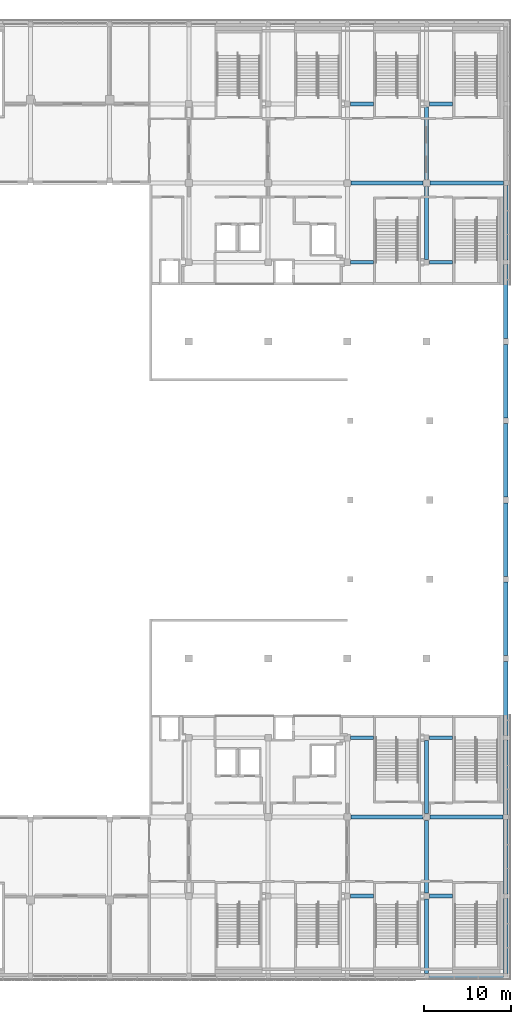
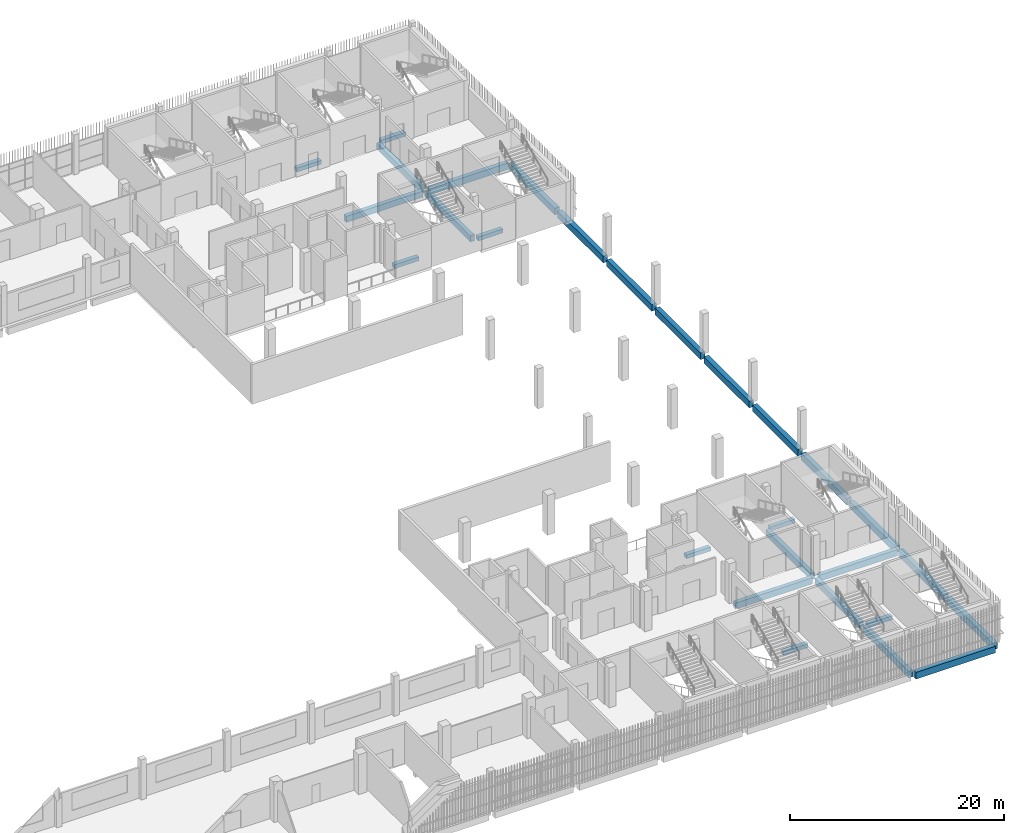
# One storey, part 41 of 104: 28 beams.
"""IFC4 building model written with IfcOpenShell, lengths in metres."""

from ifc_helpers import new_model, si_unit, direction, frame, origin, origin_2d, place, context, subcontext, project, spatial, rectangle, extrude, material, material_profile, profile_set, type_object, element, save


model = new_model("IFC4")

# Units and contexts
model_context = context("Model", 3, precision=1e-05, world=origin(), true_north=direction((0.0, 1.0)))
body_context = subcontext(model_context, "Body", "Model", "MODEL_VIEW")
ifc_project = project(units=[si_unit("LENGTHUNIT", "METRE"), si_unit("AREAUNIT", "SQUARE_METRE"), si_unit("VOLUMEUNIT", "CUBIC_METRE"), si_unit("PLANEANGLEUNIT", "RADIAN"), si_unit("MASSUNIT", "GRAM", prefix="KILO")], contexts=[model_context])

# Site, building, storey
site_placement = place(None, origin())
site = spatial("IfcSite", under=ifc_project, at=site_placement, CompositionType="ELEMENT")
building_placement = place(site_placement, origin())
building = spatial("IfcBuilding", under=site, at=building_placement, Name="Shirokan Park Arena", CompositionType="ELEMENT")
storey_placement = place(building_placement, frame((0.0, 0.0, 10.919921875)))
storey = spatial("IfcBuildingStorey", under=building, at=storey_placement, Name="L02", CompositionType="ELEMENT", Elevation=10.919921875)

# Beams
ifc_material = material(Name="Concrete C35", Category="concrete")
ifc_material_profile_1 = material_profile(ifc_material, rectangle(XDim=0.449951171875, YDim=0.699951171875, at=origin_2d()), Name="450x700")
ifc_profile_set_1 = profile_set([ifc_material_profile_1], Name="Concrete C35")
beam_type_1 = type_object("IfcBeamType", Name="RC girder 450x700", PredefinedType="BEAM", material=ifc_profile_set_1)
for number, where, z_axis, x_axis, name in (
    (1, (127.8251953125, 18.199951171875, -0.64990234375), (1.0, 0.0, 0.0), (0.0, 1.0, 0.0), "Girder 15C-16C L02"),
    (2, (127.8251953125, 91.0, -0.64990234375), (1.0, 0.0, 0.0), (0.0, 1.0, 0.0), "Girder 15L-16L L02"),
):
    element("IfcBeam", number, at=place(storey_placement, frame(where, z_axis=z_axis, x_axis=x_axis)), inside=storey, type_object=beam_type_1, Name=name, PredefinedType="BEAM", context=body_context, shape_type="SweptSolid", body=[
        extrude(rectangle(XDim=0.449951171875, YDim=0.699951171875, at=origin_2d()), origin(), (0.0, 0.0, 1.0), 8.274658203125),
    ])
beam_1_placement = place(storey_placement, frame((136.900146484375, 18.199951171875, -0.64990234375), z_axis=(1.0, 0.0, 0.0), x_axis=(0.0, 1.0, 0.0)))
element("IfcBeam", 3, at=beam_1_placement, inside=storey, type_object=beam_type_1, Name="Girder 16C-17C L02", PredefinedType="BEAM", context=body_context, shape_type="SweptSolid", body=[
    extrude(rectangle(XDim=0.449951171875, YDim=0.699951171875, at=origin_2d()), origin(), (0.0, 0.0, 1.0), 8.399658203125),
])
beam_2_placement = place(storey_placement, frame((136.5, 9.4501953125, -0.64990234375), z_axis=(0.0, 1.0, 0.0), x_axis=(-1.0, 0.0, 0.0)))
element("IfcBeam", 4, at=beam_2_placement, inside=storey, type_object=beam_type_1, Name="Girder 16B-16C L02", PredefinedType="BEAM", context=body_context, shape_type="SweptSolid", body=[
    extrude(rectangle(XDim=0.449951171875, YDim=0.699951171875, at=origin_2d()), origin(), (0.0, 0.0, 1.0), 8.349609375),
])
for number, where, z_axis, x_axis, name in (
    (5, (136.5, 18.60009765625, -0.64990234375), (0.0, 1.0, 0.0), (-1.0, 0.0, 0.0), "Girder 16C-16D L02"),
    (6, (136.5, 82.22509765625, -0.64990234375), (0.0, 1.0, 0.0), (-1.0, 0.0, 0.0), "Girder 16K-16L L02"),
):
    element("IfcBeam", number, at=place(storey_placement, frame(where, z_axis=z_axis, x_axis=x_axis)), inside=storey, type_object=beam_type_1, Name=name, PredefinedType="BEAM", context=body_context, shape_type="SweptSolid", body=[
        extrude(rectangle(XDim=0.449951171875, YDim=0.699951171875, at=origin_2d()), origin(), (0.0, 0.0, 1.0), 8.374755859375),
    ])
beam_3_placement = place(storey_placement, frame((136.5, 91.400146484375, -0.64990234375), z_axis=(0.0, 1.0, 0.0), x_axis=(-1.0, 0.0, 0.0)))
element("IfcBeam", 7, at=beam_3_placement, inside=storey, type_object=beam_type_1, Name="Girder 16L-16M L02", PredefinedType="BEAM", context=body_context, shape_type="SweptSolid", body=[
    extrude(rectangle(XDim=0.449951171875, YDim=0.699951171875, at=origin_2d()), origin(), (0.0, 0.0, 1.0), 8.349853515625),
])
ifc_material_profile_2 = material_profile(ifc_material, rectangle(XDim=0.449951171875, YDim=0.75, at=origin_2d()), Name="450x750")
ifc_profile_set_2 = profile_set([ifc_material_profile_2], Name="Concrete C35")
beam_type_2 = type_object("IfcBeamType", Name="RC girder 450x750", PredefinedType="BEAM", material=ifc_profile_set_2)
beam_4_placement = place(storey_placement, frame((136.900146484375, 91.0, -0.6748046875), z_axis=(1.0, 0.0, 0.0), x_axis=(0.0, 1.0, 0.0)))
element("IfcBeam", 8, at=beam_4_placement, inside=storey, type_object=beam_type_2, Name="Girder 16L-17L L02", PredefinedType="BEAM", context=body_context, shape_type="SweptSolid", body=[
    extrude(rectangle(XDim=0.449951171875, YDim=0.75, at=origin_2d()), origin(), (0.0, 0.0, 1.0), 8.4248046875),
])
beam_5_placement = place(storey_placement, frame((136.5, 0.25, -0.6748046875), z_axis=(0.0, 1.0, 0.0), x_axis=(-1.0, 0.0, 0.0)))
element("IfcBeam", 9, at=beam_5_placement, inside=storey, type_object=beam_type_2, Name="Girder 16A-16B L02", PredefinedType="BEAM", context=body_context, shape_type="SweptSolid", body=[
    extrude(rectangle(XDim=0.449951171875, YDim=0.75, at=origin_2d()), origin(), (0.0, 0.0, 1.0), 8.5),
])
ifc_material_profile_3 = material_profile(ifc_material, rectangle(XDim=0.5, YDim=0.75, at=origin_2d()), Name="500x750")
ifc_profile_set_3 = profile_set([ifc_material_profile_3], Name="Concrete C35")
beam_type_3 = type_object("IfcBeamType", Name="RC girder 500x750", PredefinedType="BEAM", material=ifc_profile_set_3)
beam_6_placement = place(storey_placement, frame((136.775146484375, 0.0, -0.6748046875), z_axis=(1.0, 0.0, 0.0), x_axis=(0.0, 1.0, 0.0)))
element("IfcBeam", 10, at=beam_6_placement, inside=storey, type_object=beam_type_3, Name="Girder 16A-17A L02", PredefinedType="BEAM", context=body_context, shape_type="SweptSolid", body=[
    extrude(rectangle(XDim=0.5, YDim=0.75, at=origin_2d()), origin(), (0.0, 0.0, 1.0), 8.57470703125),
])
beam_7_placement = place(storey_placement, frame((145.60009765625, 0.25, -0.6748046875), z_axis=(0.0, 1.0, 0.0), x_axis=(-1.0, 0.0, 0.0)))
element("IfcBeam", 11, at=beam_7_placement, inside=storey, type_object=beam_type_3, Name="Girder 17A-17B L02", PredefinedType="BEAM", context=body_context, shape_type="SweptSolid", body=[
    extrude(rectangle(XDim=0.5, YDim=0.75, at=origin_2d()), origin(), (0.0, 0.0, 1.0), 8.574951171875),
])
beam_8_placement = place(storey_placement, frame((145.60009765625, 9.375, -0.6748046875), z_axis=(0.0, 1.0, 0.0), x_axis=(-1.0, 0.0, 0.0)))
element("IfcBeam", 12, at=beam_8_placement, inside=storey, type_object=beam_type_3, Name="Girder 17B-17C L02", PredefinedType="BEAM", context=body_context, shape_type="SweptSolid", body=[
    extrude(rectangle(XDim=0.5, YDim=0.75, at=origin_2d()), origin(), (0.0, 0.0, 1.0), 8.52490234375),
])
beam_9_placement = place(storey_placement, frame((145.60009765625, 18.5, -0.6748046875), z_axis=(0.0, 1.0, 0.0), x_axis=(-1.0, 0.0, 0.0)))
element("IfcBeam", 13, at=beam_9_placement, inside=storey, type_object=beam_type_3, Name="Girder 17C-17D L02", PredefinedType="BEAM", context=body_context, shape_type="SweptSolid", body=[
    extrude(rectangle(XDim=0.5, YDim=0.75, at=origin_2d()), origin(), (0.0, 0.0, 1.0), 8.5498046875),
])
beam_10_placement = place(storey_placement, frame((145.60009765625, 27.550048828125, -0.6748046875), z_axis=(0.0, 1.0, 0.0), x_axis=(-1.0, 0.0, 0.0)))
element("IfcBeam", 14, at=beam_10_placement, inside=storey, type_object=beam_type_3, Name="Girder 17D-17E L02", PredefinedType="BEAM", context=body_context, shape_type="SweptSolid", body=[
    extrude(rectangle(XDim=0.5, YDim=0.75, at=origin_2d()), origin(), (0.0, 0.0, 1.0), 8.52490234375),
])
for number, where, z_axis, x_axis, name in (
    (15, (145.60009765625, 36.72509765625, -0.6748046875), (0.0, 1.0, 0.0), (-1.0, 0.0, 0.0), "Girder 17E-17F L02"),
    (16, (145.60009765625, 45.8251953125, -0.6748046875), (0.0, 1.0, 0.0), (-1.0, 0.0, 0.0), "Girder 17F-17G L02"),
):
    element("IfcBeam", number, at=place(storey_placement, frame(where, z_axis=z_axis, x_axis=x_axis)), inside=storey, type_object=beam_type_3, Name=name, PredefinedType="BEAM", context=body_context, shape_type="SweptSolid", body=[
        extrude(rectangle(XDim=0.5, YDim=0.75, at=origin_2d()), origin(), (0.0, 0.0, 1.0), 8.44970703125),
    ])
beam_11_placement = place(storey_placement, frame((145.60009765625, 54.925048828125, -0.6748046875), z_axis=(0.0, 1.0, 0.0), x_axis=(-1.0, 0.0, 0.0)))
element("IfcBeam", 17, at=beam_11_placement, inside=storey, type_object=beam_type_3, Name="Girder 17G-17H L02", PredefinedType="BEAM", context=body_context, shape_type="SweptSolid", body=[
    extrude(rectangle(XDim=0.5, YDim=0.75, at=origin_2d()), origin(), (0.0, 0.0, 1.0), 8.449951171875),
])
beam_12_placement = place(storey_placement, frame((145.60009765625, 64.025146484375, -0.6748046875), z_axis=(0.0, 1.0, 0.0), x_axis=(-1.0, 0.0, 0.0)))
element("IfcBeam", 18, at=beam_12_placement, inside=storey, type_object=beam_type_3, Name="Girder 17H-17J L02", PredefinedType="BEAM", context=body_context, shape_type="SweptSolid", body=[
    extrude(rectangle(XDim=0.5, YDim=0.75, at=origin_2d()), origin(), (0.0, 0.0, 1.0), 8.44970703125),
])
beam_13_placement = place(storey_placement, frame((145.60009765625, 73.125, -0.6748046875), z_axis=(0.0, 1.0, 0.0), x_axis=(-1.0, 0.0, 0.0)))
element("IfcBeam", 19, at=beam_13_placement, inside=storey, type_object=beam_type_3, Name="Girder 17J-17K L02", PredefinedType="BEAM", context=body_context, shape_type="SweptSolid", body=[
    extrude(rectangle(XDim=0.5, YDim=0.75, at=origin_2d()), origin(), (0.0, 0.0, 1.0), 8.52490234375),
])
beam_14_placement = place(storey_placement, frame((145.60009765625, 82.150146484375, -0.6748046875), z_axis=(0.0, 1.0, 0.0), x_axis=(-1.0, 0.0, 0.0)))
element("IfcBeam", 20, at=beam_14_placement, inside=storey, type_object=beam_type_3, Name="Girder 17K-17L L02", PredefinedType="BEAM", context=body_context, shape_type="SweptSolid", body=[
    extrude(rectangle(XDim=0.5, YDim=0.75, at=origin_2d()), origin(), (0.0, 0.0, 1.0), 8.5498046875),
])
ifc_material_profile_4 = material_profile(ifc_material, rectangle(XDim=0.449951171875, YDim=0.449951171875, at=origin_2d()), Name="450x450")
ifc_profile_set_4 = profile_set([ifc_material_profile_4], Name="Concrete C35")
beam_type_4 = type_object("IfcBeamType", Name="RC trimmer 450x450", PredefinedType="BEAM", material=ifc_profile_set_4)
beam_15_placement = place(storey_placement, frame((127.75, 9.10009765625, -0.52490234375), z_axis=(1.0, 0.0, 0.0), x_axis=(0.0, 1.0, 0.0)))
element("IfcBeam", 21, at=beam_15_placement, inside=storey, type_object=beam_type_4, Name="Girder 15B-16B L02", PredefinedType="BEAM", context=body_context, shape_type="SweptSolid", body=[
    extrude(rectangle(XDim=0.449951171875, YDim=0.449951171875, at=origin_2d()), origin(), (0.0, 0.0, 1.0), 2.64990234375),
])
for number, where, z_axis, x_axis, name in (
    (22, (127.775146484375, 27.300048828125, -0.52490234375), (1.0, 0.0, 0.0), (0.0, 1.0, 0.0), "Girder 15D-16D L02"),
    (23, (127.775146484375, 81.89990234375, -0.52490234375), (1.0, 0.0, 0.0), (0.0, 1.0, 0.0), "Girder 15K-16K L02"),
):
    element("IfcBeam", number, at=place(storey_placement, frame(where, z_axis=z_axis, x_axis=x_axis)), inside=storey, type_object=beam_type_4, Name=name, PredefinedType="BEAM", context=body_context, shape_type="SweptSolid", body=[
        extrude(rectangle(XDim=0.449951171875, YDim=0.449951171875, at=origin_2d()), origin(), (0.0, 0.0, 1.0), 2.624755859375),
    ])
for number, where, z_axis, x_axis, name in (
    (24, (127.75, 100.10009765625, -0.52490234375), (1.0, 0.0, 0.0), (0.0, 1.0, 0.0), "Girder 15M-16M L02"),
    (25, (136.85009765625, 9.10009765625, -0.52490234375), (1.0, 0.0, 0.0), (0.0, 1.0, 0.0), "Girder 16B-17B L02"),
):
    element("IfcBeam", number, at=place(storey_placement, frame(where, z_axis=z_axis, x_axis=x_axis)), inside=storey, type_object=beam_type_4, Name=name, PredefinedType="BEAM", context=body_context, shape_type="SweptSolid", body=[
        extrude(rectangle(XDim=0.449951171875, YDim=0.449951171875, at=origin_2d()), origin(), (0.0, 0.0, 1.0), 2.64990234375),
    ])
for number, where, z_axis, x_axis, name in (
    (26, (136.8251953125, 27.300048828125, -0.52490234375), (1.0, 0.0, 0.0), (0.0, 1.0, 0.0), "Girder 16D-17D L02"),
    (27, (136.8251953125, 81.89990234375, -0.52490234375), (1.0, 0.0, 0.0), (0.0, 1.0, 0.0), "Girder 16K-17K L02"),
):
    element("IfcBeam", number, at=place(storey_placement, frame(where, z_axis=z_axis, x_axis=x_axis)), inside=storey, type_object=beam_type_4, Name=name, PredefinedType="BEAM", context=body_context, shape_type="SweptSolid", body=[
        extrude(rectangle(XDim=0.449951171875, YDim=0.449951171875, at=origin_2d()), origin(), (0.0, 0.0, 1.0), 2.6748046875),
    ])
beam_16_placement = place(storey_placement, frame((136.85009765625, 100.10009765625, -0.52490234375), z_axis=(1.0, 0.0, 0.0), x_axis=(0.0, 1.0, 0.0)))
element("IfcBeam", 28, at=beam_16_placement, inside=storey, type_object=beam_type_4, Name="Girder 16M-17M L02", PredefinedType="BEAM", context=body_context, shape_type="SweptSolid", body=[
    extrude(rectangle(XDim=0.449951171875, YDim=0.449951171875, at=origin_2d()), origin(), (0.0, 0.0, 1.0), 2.64990234375),
])

save(model, "model.ifc")
